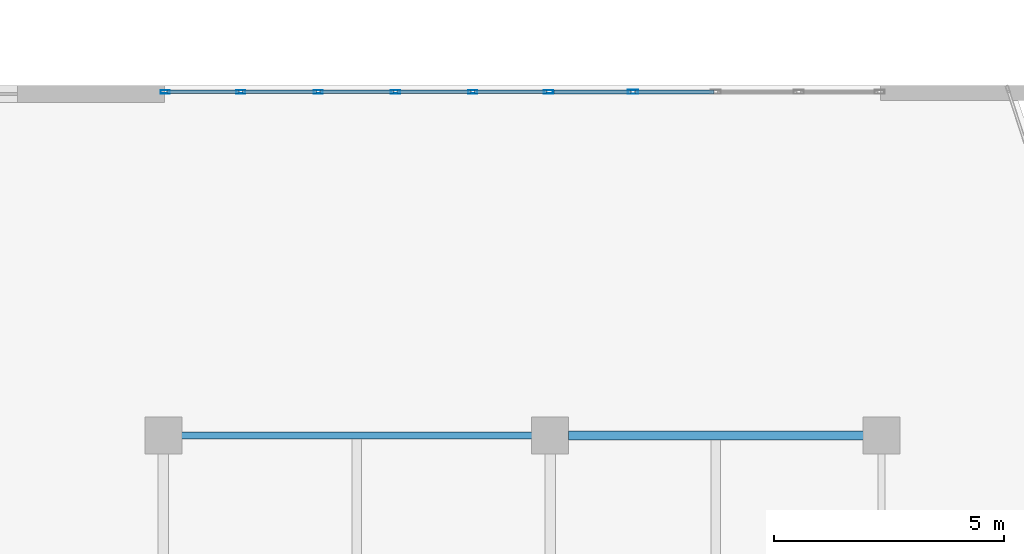
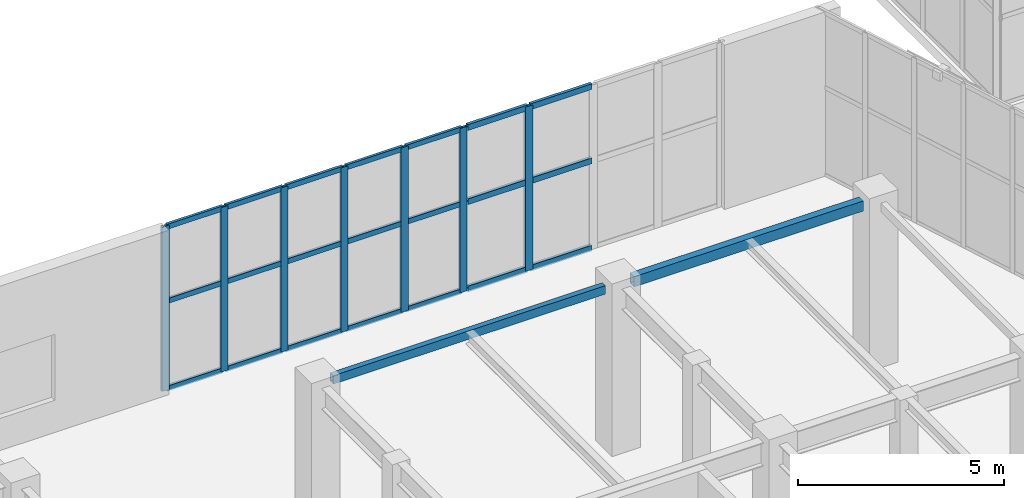
# One storey, part 70 of 128: 28 members, 2 beams, 2 elements without a shape of their own.
"""IFC4 building model written with IfcOpenShell, lengths in metres."""

from ifc_helpers import new_model, si_unit, direction, frame, origin, origin_2d, place, context, subcontext, project, spatial, hollow_rectangle, extrude, material, layer, layer_set, material_profile, profile_set, type_object, element, aggregate, save


model = new_model("IFC4")

# Units and contexts
model_context = context("Model", 3, precision=1e-05, world=origin(), true_north=direction((0.0, 1.0)))
body_context = subcontext(model_context, "Body", "Model", "MODEL_VIEW")
ifc_project = project(units=[si_unit("LENGTHUNIT", "METRE"), si_unit("AREAUNIT", "SQUARE_METRE"), si_unit("VOLUMEUNIT", "CUBIC_METRE"), si_unit("PLANEANGLEUNIT", "RADIAN"), si_unit("MASSUNIT", "GRAM", prefix="KILO")], contexts=[model_context])

# Site, building, storey
site_placement = place(None, origin())
site = spatial("IfcSite", under=ifc_project, at=site_placement, CompositionType="ELEMENT")
building_placement = place(site_placement, origin())
building = spatial("IfcBuilding", under=site, at=building_placement, Name="Xicomal Pleat Aquarium", CompositionType="ELEMENT")
storey_placement = place(building_placement, frame((0.0, 0.0, 5.39990234375)))
storey = spatial("IfcBuildingStorey", under=building, at=storey_placement, Name="L02", CompositionType="ELEMENT", Elevation=5.39990234375)

# Beams
ifc_material_1 = material(Name="Structural steel A500 Gr C", Category="steel")
ifc_material_profile_1 = material_profile(ifc_material_1, hollow_rectangle(XDim=0.14990234375, YDim=0.25, WallThickness=0.010009765625, at=origin_2d()), Name="OR 250x150x10")
ifc_profile_set_1 = profile_set([ifc_material_profile_1], Name="Structural steel A500 Gr C")
beam_type_1 = type_object("IfcBeamType", Name="BM-STL-OR250", PredefinedType="SPANDREL", material=ifc_profile_set_1)
beam_1_placement = place(storey_placement, frame((102.9951171875, 68.39990234375, 4.735107421875), z_axis=(1.0, 0.0, 0.0), x_axis=(0.0, 1.0, 0.0)))
element("IfcBeam", 1, at=beam_1_placement, inside=storey, type_object=beam_type_1, Name="L02 framing beam FGX-L02-13-14-K", PredefinedType="SPANDREL", context=body_context, shape_type="SweptSolid", body=[
    extrude(hollow_rectangle(XDim=0.14990234375, YDim=0.25, WallThickness=0.010009765625, at=origin_2d()), origin(), (0.0, 0.0, 1.0), 7.60986328125),
])
ifc_material_2 = material(Name="Structural steel A500 Gr C", Category="steel")
ifc_material_profile_2 = material_profile(ifc_material_2, hollow_rectangle(XDim=0.199951171875, YDim=0.300048828125, WallThickness=0.011962890625, at=origin_2d()), Name="OR 300x200x12")
ifc_profile_set_2 = profile_set([ifc_material_profile_2], Name="Structural steel A500 Gr C")
beam_type_2 = type_object("IfcBeamType", Name="BM-STL-OR300", PredefinedType="SPANDREL", material=ifc_profile_set_2)
beam_2_placement = place(storey_placement, frame((111.39501953125, 68.39990234375, 4.710205078125), z_axis=(1.0, 0.0, 0.0), x_axis=(0.0, 1.0, 0.0)))
element("IfcBeam", 2, at=beam_2_placement, inside=storey, type_object=beam_type_2, Name="L02 framing beam FGX-L02-14-15-K", PredefinedType="SPANDREL", context=body_context, shape_type="SweptSolid", body=[
    extrude(hollow_rectangle(XDim=0.199951171875, YDim=0.300048828125, WallThickness=0.011962890625, at=origin_2d()), origin(), (0.0, 0.0, 1.0), 6.409912109375),
])

# Curtain wall, members
ifc_material_3 = material(Name="Bronze anodized aluminium 6063-T6", Category="aluminium")
ifc_layer_1 = layer(ifc_material_3, 0.159912109375)
ifc_layer_set_1 = layer_set([ifc_layer_1], Name="Bronze anodized aluminium 6063-T6")
curtain_wall_type_1 = type_object("IfcCurtainWallType", Name="CW-SYS-07", PredefinedType="NOTDEFINED", material=ifc_layer_set_1)
curtain_wall_1_placement = place(storey_placement, origin())
curtain_wall_1 = element("IfcCurtainWall", 3, at=curtain_wall_1_placement, inside=storey, type_object=curtain_wall_type_1, Name="L02 unitised curtain wall CW-L02-109", PredefinedType="NOTDEFINED")
ifc_material_4 = material(Name="Bronze anodized aluminium 6063-T6", Category="aluminium")
ifc_material_profile_3 = material_profile(ifc_material_4, hollow_rectangle(XDim=0.074951171875, YDim=0.199951171875, WallThickness=0.00439453125, at=origin_2d()), Name="ALU MULL 75x200")
ifc_profile_set_3 = profile_set([ifc_material_profile_3], Name="Bronze anodized aluminium 6063-T6")
member_type_1 = type_object("IfcMemberType", Name="CWM-75x200", PredefinedType="MULLION", material=ifc_profile_set_3)
member_1_placement = place(storey_placement, frame((102.637451171875, 75.860107421875, 0.0), z_axis=(0.0, 0.0, 1.0), x_axis=(0.0, 1.0, 0.0)))
member_1 = element("IfcMember", 4, at=member_1_placement, type_object=member_type_1, Name="CW-07 mullion 1", PredefinedType="MULLION", context=body_context, shape_type="SweptSolid", body=[
    extrude(hollow_rectangle(XDim=0.074951171875, YDim=0.199951171875, WallThickness=0.00439453125, at=origin_2d()), origin(), (0.0, 0.0, 1.0), 4.860107421875),
])
member_2_placement = place(storey_placement, frame((104.280029296875, 75.860107421875, 0.0), z_axis=(0.0, 0.0, 1.0), x_axis=(0.0, 1.0, 0.0)))
member_2 = element("IfcMember", 5, at=member_2_placement, type_object=member_type_1, Name="CW-07 mullion 2", PredefinedType="MULLION", context=body_context, shape_type="SweptSolid", body=[
    extrude(hollow_rectangle(XDim=0.074951171875, YDim=0.199951171875, WallThickness=0.00439453125, at=origin_2d()), origin(), (0.0, 0.0, 1.0), 4.860107421875),
])
member_3_placement = place(storey_placement, frame((105.9599609375, 75.860107421875, 0.0), z_axis=(0.0, 0.0, 1.0), x_axis=(0.0, 1.0, 0.0)))
member_3 = element("IfcMember", 6, at=member_3_placement, type_object=member_type_1, Name="CW-07 mullion 3", PredefinedType="MULLION", context=body_context, shape_type="SweptSolid", body=[
    extrude(hollow_rectangle(XDim=0.074951171875, YDim=0.199951171875, WallThickness=0.00439453125, at=origin_2d()), origin(), (0.0, 0.0, 1.0), 4.860107421875),
])
member_4_placement = place(storey_placement, frame((107.639892578125, 75.860107421875, 0.0), z_axis=(0.0, 0.0, 1.0), x_axis=(0.0, 1.0, 0.0)))
member_4 = element("IfcMember", 7, at=member_4_placement, type_object=member_type_1, Name="CW-07 mullion 4", PredefinedType="MULLION", context=body_context, shape_type="SweptSolid", body=[
    extrude(hollow_rectangle(XDim=0.074951171875, YDim=0.199951171875, WallThickness=0.00439453125, at=origin_2d()), origin(), (0.0, 0.0, 1.0), 4.860107421875),
])
member_5_placement = place(storey_placement, frame((109.320068359375, 75.860107421875, 0.0), z_axis=(0.0, 0.0, 1.0), x_axis=(0.0, 1.0, 0.0)))
member_5 = element("IfcMember", 8, at=member_5_placement, type_object=member_type_1, Name="CW-07 mullion 5", PredefinedType="MULLION", context=body_context, shape_type="SweptSolid", body=[
    extrude(hollow_rectangle(XDim=0.074951171875, YDim=0.199951171875, WallThickness=0.00439453125, at=origin_2d()), origin(), (0.0, 0.0, 1.0), 4.860107421875),
])
member_6_placement = place(storey_placement, frame((110.96240234375, 75.860107421875, 0.0), z_axis=(0.0, 0.0, 1.0), x_axis=(0.0, 1.0, 0.0)))
member_6 = element("IfcMember", 9, at=member_6_placement, type_object=member_type_1, Name="CW-07 mullion 6", PredefinedType="MULLION", context=body_context, shape_type="SweptSolid", body=[
    extrude(hollow_rectangle(XDim=0.074951171875, YDim=0.199951171875, WallThickness=0.00439453125, at=origin_2d()), origin(), (0.0, 0.0, 1.0), 4.860107421875),
])

# Curtain wall, member
ifc_material_5 = material(Name="Bronze anodized aluminium 6063-T6", Category="aluminium")
ifc_layer_2 = layer(ifc_material_5, 0.159912109375)
ifc_layer_set_2 = layer_set([ifc_layer_2], Name="Bronze anodized aluminium 6063-T6")
curtain_wall_type_2 = type_object("IfcCurtainWallType", Name="CW-SYS-12", PredefinedType="NOTDEFINED", material=ifc_layer_set_2)
curtain_wall_2_placement = place(storey_placement, origin())
curtain_wall_2 = element("IfcCurtainWall", 10, at=curtain_wall_2_placement, inside=storey, type_object=curtain_wall_type_2, Name="L02 unitised curtain wall CW-L02-110", PredefinedType="NOTDEFINED")
ifc_material_6 = material(Name="Bronze anodized aluminium 6063-T6", Category="aluminium")
ifc_material_profile_4 = material_profile(ifc_material_6, hollow_rectangle(XDim=0.0849609375, YDim=0.219970703125, WallThickness=0.0048828125, at=origin_2d()), Name="ALU MULL 85x220")
ifc_profile_set_4 = profile_set([ifc_material_profile_4], Name="Bronze anodized aluminium 6063-T6")
member_type_2 = type_object("IfcMemberType", Name="CWM-85x220", PredefinedType="MULLION", material=ifc_profile_set_4)
member_7_placement = place(storey_placement, frame((112.800048828125, 75.860107421875, 0.0), z_axis=(0.0, 0.0, 1.0), x_axis=(0.0, 1.0, 0.0)))
member_7 = element("IfcMember", 11, at=member_7_placement, type_object=member_type_2, Name="CW-12 mullion 2", PredefinedType="MULLION", context=body_context, shape_type="SweptSolid", body=[
    extrude(hollow_rectangle(XDim=0.0849609375, YDim=0.219970703125, WallThickness=0.0048828125, at=origin_2d()), origin(), (0.0, 0.0, 1.0), 4.860107421875),
])

# Member
ifc_material_7 = material(Name="Bronze anodized aluminium 6063-T6", Category="aluminium")
ifc_material_profile_5 = material_profile(ifc_material_7, hollow_rectangle(XDim=0.074951171875, YDim=0.14990234375, WallThickness=0.00439453125, at=origin_2d()), Name="ALU TRAN 75x150")
ifc_profile_set_5 = profile_set([ifc_material_profile_5], Name="Bronze anodized aluminium 6063-T6")
member_type_3 = type_object("IfcMemberType", Name="CWT-75x150", PredefinedType="USERDEFINED", material=ifc_profile_set_5)
member_8_placement = place(storey_placement, frame((102.675048828125, 75.860107421875, 0.03759765625), z_axis=(1.0, 0.0, 0.0), x_axis=(0.0, 1.0, 0.0)))
member_8 = element("IfcMember", 12, at=member_8_placement, type_object=member_type_3, Name="CW-07 transom 1.1", ObjectType="TRANSOM", PredefinedType="USERDEFINED", context=body_context, shape_type="SweptSolid", body=[
    extrude(hollow_rectangle(XDim=0.074951171875, YDim=0.14990234375, WallThickness=0.00439453125, at=origin_2d()), origin(), (0.0, 0.0, 1.0), 1.5673828125),
])

member_9_placement = place(storey_placement, frame((102.675048828125, 75.860107421875, 2.6240234375), z_axis=(1.0, 0.0, 0.0), x_axis=(0.0, 1.0, 0.0)))
member_9 = element("IfcMember", 13, at=member_9_placement, type_object=member_type_3, Name="CW-07 transom 1.2", ObjectType="TRANSOM", PredefinedType="USERDEFINED", context=body_context, shape_type="SweptSolid", body=[
    extrude(hollow_rectangle(XDim=0.074951171875, YDim=0.14990234375, WallThickness=0.00439453125, at=origin_2d()), origin(), (0.0, 0.0, 1.0), 1.5673828125),
])

member_10_placement = place(storey_placement, frame((102.675048828125, 75.860107421875, 4.822509765625), z_axis=(1.0, 0.0, 0.0), x_axis=(0.0, 1.0, 0.0)))
member_10 = element("IfcMember", 14, at=member_10_placement, type_object=member_type_3, Name="CW-07 transom 1.3", ObjectType="TRANSOM", PredefinedType="USERDEFINED", context=body_context, shape_type="SweptSolid", body=[
    extrude(hollow_rectangle(XDim=0.074951171875, YDim=0.14990234375, WallThickness=0.00439453125, at=origin_2d()), origin(), (0.0, 0.0, 1.0), 1.5673828125),
])

member_11_placement = place(storey_placement, frame((104.3173828125, 75.860107421875, 0.03759765625), z_axis=(1.0, 0.0, 0.0), x_axis=(0.0, 1.0, 0.0)))
member_11 = element("IfcMember", 15, at=member_11_placement, type_object=member_type_3, Name="CW-07 transom 2.1", ObjectType="TRANSOM", PredefinedType="USERDEFINED", context=body_context, shape_type="SweptSolid", body=[
    extrude(hollow_rectangle(XDim=0.074951171875, YDim=0.14990234375, WallThickness=0.00439453125, at=origin_2d()), origin(), (0.0, 0.0, 1.0), 1.605224609375),
])

member_12_placement = place(storey_placement, frame((104.3173828125, 75.860107421875, 2.6240234375), z_axis=(1.0, 0.0, 0.0), x_axis=(0.0, 1.0, 0.0)))
member_12 = element("IfcMember", 16, at=member_12_placement, type_object=member_type_3, Name="CW-07 transom 2.2", ObjectType="TRANSOM", PredefinedType="USERDEFINED", context=body_context, shape_type="SweptSolid", body=[
    extrude(hollow_rectangle(XDim=0.074951171875, YDim=0.14990234375, WallThickness=0.00439453125, at=origin_2d()), origin(), (0.0, 0.0, 1.0), 1.605224609375),
])

member_13_placement = place(storey_placement, frame((104.3173828125, 75.860107421875, 4.822509765625), z_axis=(1.0, 0.0, 0.0), x_axis=(0.0, 1.0, 0.0)))
member_13 = element("IfcMember", 17, at=member_13_placement, type_object=member_type_3, Name="CW-07 transom 2.3", ObjectType="TRANSOM", PredefinedType="USERDEFINED", context=body_context, shape_type="SweptSolid", body=[
    extrude(hollow_rectangle(XDim=0.074951171875, YDim=0.14990234375, WallThickness=0.00439453125, at=origin_2d()), origin(), (0.0, 0.0, 1.0), 1.605224609375),
])

member_14_placement = place(storey_placement, frame((105.99755859375, 75.860107421875, 0.03759765625), z_axis=(1.0, 0.0, 0.0), x_axis=(0.0, 1.0, 0.0)))
member_14 = element("IfcMember", 18, at=member_14_placement, type_object=member_type_3, Name="CW-07 transom 3.1", ObjectType="TRANSOM", PredefinedType="USERDEFINED", context=body_context, shape_type="SweptSolid", body=[
    extrude(hollow_rectangle(XDim=0.074951171875, YDim=0.14990234375, WallThickness=0.00439453125, at=origin_2d()), origin(), (0.0, 0.0, 1.0), 1.60498046875),
])

member_15_placement = place(storey_placement, frame((105.99755859375, 75.860107421875, 2.6240234375), z_axis=(1.0, 0.0, 0.0), x_axis=(0.0, 1.0, 0.0)))
member_15 = element("IfcMember", 19, at=member_15_placement, type_object=member_type_3, Name="CW-07 transom 3.2", ObjectType="TRANSOM", PredefinedType="USERDEFINED", context=body_context, shape_type="SweptSolid", body=[
    extrude(hollow_rectangle(XDim=0.074951171875, YDim=0.14990234375, WallThickness=0.00439453125, at=origin_2d()), origin(), (0.0, 0.0, 1.0), 1.60498046875),
])

member_16_placement = place(storey_placement, frame((105.99755859375, 75.860107421875, 4.822509765625), z_axis=(1.0, 0.0, 0.0), x_axis=(0.0, 1.0, 0.0)))
member_16 = element("IfcMember", 20, at=member_16_placement, type_object=member_type_3, Name="CW-07 transom 3.3", ObjectType="TRANSOM", PredefinedType="USERDEFINED", context=body_context, shape_type="SweptSolid", body=[
    extrude(hollow_rectangle(XDim=0.074951171875, YDim=0.14990234375, WallThickness=0.00439453125, at=origin_2d()), origin(), (0.0, 0.0, 1.0), 1.60498046875),
])

member_17_placement = place(storey_placement, frame((107.677490234375, 75.860107421875, 0.03759765625), z_axis=(1.0, 0.0, 0.0), x_axis=(0.0, 1.0, 0.0)))
member_17 = element("IfcMember", 21, at=member_17_placement, type_object=member_type_3, Name="CW-07 transom 4.1", ObjectType="TRANSOM", PredefinedType="USERDEFINED", context=body_context, shape_type="SweptSolid", body=[
    extrude(hollow_rectangle(XDim=0.074951171875, YDim=0.14990234375, WallThickness=0.00439453125, at=origin_2d()), origin(), (0.0, 0.0, 1.0), 1.60498046875),
])

member_18_placement = place(storey_placement, frame((107.677490234375, 75.860107421875, 2.6240234375), z_axis=(1.0, 0.0, 0.0), x_axis=(0.0, 1.0, 0.0)))
member_18 = element("IfcMember", 22, at=member_18_placement, type_object=member_type_3, Name="CW-07 transom 4.2", ObjectType="TRANSOM", PredefinedType="USERDEFINED", context=body_context, shape_type="SweptSolid", body=[
    extrude(hollow_rectangle(XDim=0.074951171875, YDim=0.14990234375, WallThickness=0.00439453125, at=origin_2d()), origin(), (0.0, 0.0, 1.0), 1.60498046875),
])

member_19_placement = place(storey_placement, frame((107.677490234375, 75.860107421875, 4.822509765625), z_axis=(1.0, 0.0, 0.0), x_axis=(0.0, 1.0, 0.0)))
member_19 = element("IfcMember", 23, at=member_19_placement, type_object=member_type_3, Name="CW-07 transom 4.3", ObjectType="TRANSOM", PredefinedType="USERDEFINED", context=body_context, shape_type="SweptSolid", body=[
    extrude(hollow_rectangle(XDim=0.074951171875, YDim=0.14990234375, WallThickness=0.00439453125, at=origin_2d()), origin(), (0.0, 0.0, 1.0), 1.60498046875),
])

member_20_placement = place(storey_placement, frame((109.357421875, 75.860107421875, 0.03759765625), z_axis=(1.0, 0.0, 0.0), x_axis=(0.0, 1.0, 0.0)))
member_20 = element("IfcMember", 24, at=member_20_placement, type_object=member_type_3, Name="CW-07 transom 5.1", ObjectType="TRANSOM", PredefinedType="USERDEFINED", context=body_context, shape_type="SweptSolid", body=[
    extrude(hollow_rectangle(XDim=0.074951171875, YDim=0.14990234375, WallThickness=0.00439453125, at=origin_2d()), origin(), (0.0, 0.0, 1.0), 1.567626953125),
])

member_21_placement = place(storey_placement, frame((109.357421875, 75.860107421875, 2.6240234375), z_axis=(1.0, 0.0, 0.0), x_axis=(0.0, 1.0, 0.0)))
member_21 = element("IfcMember", 25, at=member_21_placement, type_object=member_type_3, Name="CW-07 transom 5.2", ObjectType="TRANSOM", PredefinedType="USERDEFINED", context=body_context, shape_type="SweptSolid", body=[
    extrude(hollow_rectangle(XDim=0.074951171875, YDim=0.14990234375, WallThickness=0.00439453125, at=origin_2d()), origin(), (0.0, 0.0, 1.0), 1.567626953125),
])

member_22_placement = place(storey_placement, frame((109.357421875, 75.860107421875, 4.822509765625), z_axis=(1.0, 0.0, 0.0), x_axis=(0.0, 1.0, 0.0)))
member_22 = element("IfcMember", 26, at=member_22_placement, type_object=member_type_3, Name="CW-07 transom 5.3", ObjectType="TRANSOM", PredefinedType="USERDEFINED", context=body_context, shape_type="SweptSolid", body=[
    extrude(hollow_rectangle(XDim=0.074951171875, YDim=0.14990234375, WallThickness=0.00439453125, at=origin_2d()), origin(), (0.0, 0.0, 1.0), 1.567626953125),
])

aggregate(curtain_wall_1, [member_1, member_2, member_3, member_4, member_5, member_6, member_8, member_9, member_10, member_11, member_12, member_13, member_14, member_15, member_16, member_17, member_18, member_19, member_20, member_21, member_22])

ifc_material_8 = material(Name="Bronze anodized aluminium 6063-T6", Category="aluminium")
ifc_material_profile_6 = material_profile(ifc_material_8, hollow_rectangle(XDim=0.0849609375, YDim=0.169921875, WallThickness=0.0048828125, at=origin_2d()), Name="ALU TRAN 85x170")
ifc_profile_set_6 = profile_set([ifc_material_profile_6], Name="Bronze anodized aluminium 6063-T6")
member_type_4 = type_object("IfcMemberType", Name="CWT-85x170", PredefinedType="USERDEFINED", material=ifc_profile_set_6)
member_23_placement = place(storey_placement, frame((111.0849609375, 75.860107421875, 0.04248046875), z_axis=(1.0, 0.0, 0.0), x_axis=(0.0, 1.0, 0.0)))
member_23 = element("IfcMember", 27, at=member_23_placement, type_object=member_type_4, Name="CW-12 transom 1.1", ObjectType="TRANSOM", PredefinedType="USERDEFINED", context=body_context, shape_type="SweptSolid", body=[
    extrude(hollow_rectangle(XDim=0.0849609375, YDim=0.169921875, WallThickness=0.0048828125, at=origin_2d()), origin(), (0.0, 0.0, 1.0), 1.672607421875),
])

member_24_placement = place(storey_placement, frame((111.0849609375, 75.860107421875, 2.6240234375), z_axis=(1.0, 0.0, 0.0), x_axis=(0.0, 1.0, 0.0)))
member_24 = element("IfcMember", 28, at=member_24_placement, type_object=member_type_4, Name="CW-12 transom 1.2", ObjectType="TRANSOM", PredefinedType="USERDEFINED", context=body_context, shape_type="SweptSolid", body=[
    extrude(hollow_rectangle(XDim=0.0849609375, YDim=0.169921875, WallThickness=0.0048828125, at=origin_2d()), origin(), (0.0, 0.0, 1.0), 1.672607421875),
])

member_25_placement = place(storey_placement, frame((111.0849609375, 75.860107421875, 4.817626953125), z_axis=(1.0, 0.0, 0.0), x_axis=(0.0, 1.0, 0.0)))
member_25 = element("IfcMember", 29, at=member_25_placement, type_object=member_type_4, Name="CW-12 transom 1.3", ObjectType="TRANSOM", PredefinedType="USERDEFINED", context=body_context, shape_type="SweptSolid", body=[
    extrude(hollow_rectangle(XDim=0.0849609375, YDim=0.169921875, WallThickness=0.0048828125, at=origin_2d()), origin(), (0.0, 0.0, 1.0), 1.672607421875),
])

member_26_placement = place(storey_placement, frame((112.842529296875, 75.860107421875, 0.04248046875), z_axis=(1.0, 0.0, 0.0), x_axis=(0.0, 1.0, 0.0)))
member_26 = element("IfcMember", 30, at=member_26_placement, type_object=member_type_4, Name="CW-12 transom 2.1", ObjectType="TRANSOM", PredefinedType="USERDEFINED", context=body_context, shape_type="SweptSolid", body=[
    extrude(hollow_rectangle(XDim=0.0849609375, YDim=0.169921875, WallThickness=0.0048828125, at=origin_2d()), origin(), (0.0, 0.0, 1.0), 1.715087890625),
])

member_27_placement = place(storey_placement, frame((112.842529296875, 75.860107421875, 2.6240234375), z_axis=(1.0, 0.0, 0.0), x_axis=(0.0, 1.0, 0.0)))
member_27 = element("IfcMember", 31, at=member_27_placement, type_object=member_type_4, Name="CW-12 transom 2.2", ObjectType="TRANSOM", PredefinedType="USERDEFINED", context=body_context, shape_type="SweptSolid", body=[
    extrude(hollow_rectangle(XDim=0.0849609375, YDim=0.169921875, WallThickness=0.0048828125, at=origin_2d()), origin(), (0.0, 0.0, 1.0), 1.715087890625),
])

member_28_placement = place(storey_placement, frame((112.842529296875, 75.860107421875, 4.817626953125), z_axis=(1.0, 0.0, 0.0), x_axis=(0.0, 1.0, 0.0)))
member_28 = element("IfcMember", 32, at=member_28_placement, type_object=member_type_4, Name="CW-12 transom 2.3", ObjectType="TRANSOM", PredefinedType="USERDEFINED", context=body_context, shape_type="SweptSolid", body=[
    extrude(hollow_rectangle(XDim=0.0849609375, YDim=0.169921875, WallThickness=0.0048828125, at=origin_2d()), origin(), (0.0, 0.0, 1.0), 1.715087890625),
])

aggregate(curtain_wall_2, [member_7, member_23, member_24, member_25, member_26, member_27, member_28])

save(model, "model.ifc")
